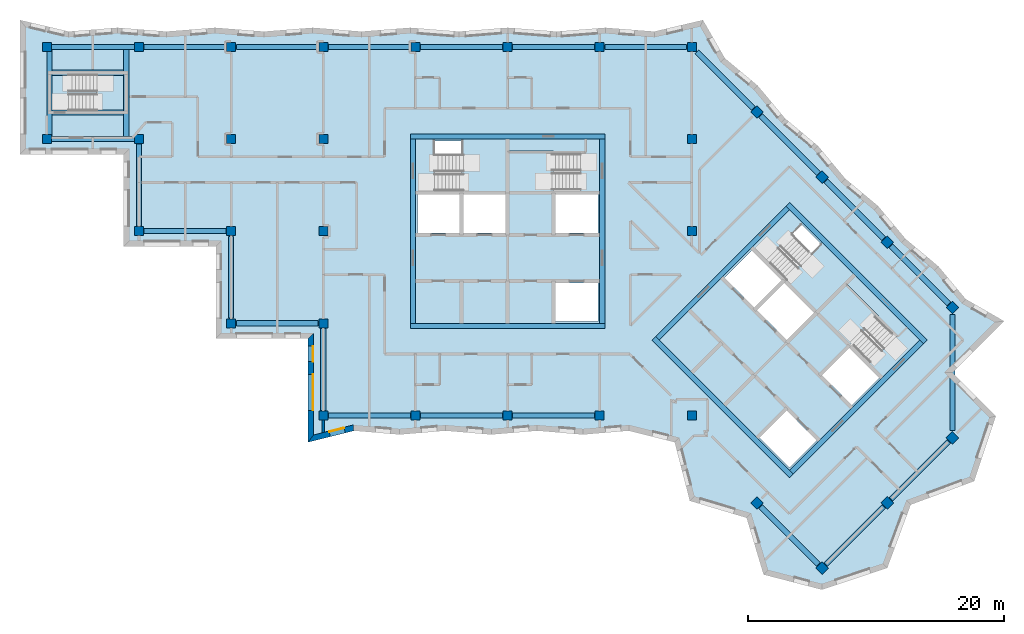
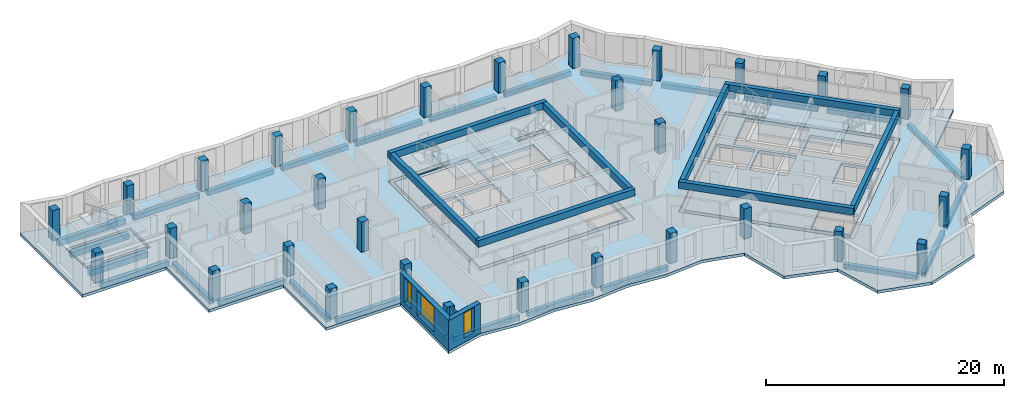
# One storey, part 1 of 13: 36 beams, 32 columns, 9 slabs, 3 walls, 3 windows, 18 openings, 5 elements without a shape of their own.
"""IFC4 building model written with IfcOpenShell, lengths in metres."""

from ifc_helpers import new_model, si_unit, direction, frame, frame_2d, origin, origin_2d, place, context, subcontext, project, spatial, polyline, rectangle, outline, extrude, material, layer, layer_set, material_profile, profile_set, type_object, element, fill, aggregate, save


model = new_model("IFC4")

# Units and contexts
model_context = context("Model", 3, precision=1e-05, world=origin(), true_north=direction((0.0, 1.0)))
body_context = subcontext(model_context, "Body", "Model", "MODEL_VIEW")
ifc_project = project(units=[si_unit("LENGTHUNIT", "METRE"), si_unit("AREAUNIT", "SQUARE_METRE"), si_unit("VOLUMEUNIT", "CUBIC_METRE"), si_unit("PLANEANGLEUNIT", "RADIAN"), si_unit("MASSUNIT", "GRAM", prefix="KILO")], contexts=[model_context])

# Site, building, storey
site_placement = place(None, origin())
site = spatial("IfcSite", under=ifc_project, at=site_placement, CompositionType="ELEMENT")
building_placement = place(site_placement, origin())
building = spatial("IfcBuilding", under=site, at=building_placement, Name="Windrow Commons", CompositionType="ELEMENT")
storey_placement = place(building_placement, frame((0.0, 0.0, 243.8)))
storey = spatial("IfcBuildingStorey", under=building, at=storey_placement, Name="L66", CompositionType="ELEMENT", Elevation=243.8)

# Columns
ifc_material_1 = material(Name="Concrete C40/50", Category="concrete")
ifc_material_profile_1 = material_profile(ifc_material_1, rectangle(XDim=0.7, YDim=0.7, at=origin_2d()))
ifc_profile_set_1 = profile_set([ifc_material_profile_1], Name="Concrete C40/50")
column_type = type_object("IfcColumnType", Name="RC COLUMN 700x700 C40/50", PredefinedType="COLUMN", material=ifc_profile_set_1)
for number, where, z_axis, x_axis, name in (
    (1, (28.8, 64.8, 0.0), (0.0, 0.0, 1.0), (1.0, 0.0, 0.0), "C-Z5-05I"),
    (2, (28.8, 72.0, 0.0), (0.0, 0.0, 1.0), (1.0, 0.0, 0.0), "C-Z5-05J"),
    (3, (36.0, 57.6, 0.0), (0.0, 0.0, 1.0), (1.0, 0.0, 0.0), "C-Z5-06H"),
    (4, (36.0, 64.8, 0.0), (0.0, 0.0, 1.0), (1.0, 0.0, 0.0), "C-Z5-06I"),
    (5, (36.0, 72.0, 0.0), (0.0, 0.0, 1.0), (1.0, 0.0, 0.0), "C-Z5-06J"),
    (6, (43.2, 50.4, 0.0), (0.0, 0.0, 1.0), (1.0, 0.0, 0.0), "C-Z5-07G"),
    (7, (43.2, 57.6, 0.0), (0.0, 0.0, 1.0), (1.0, 0.0, 0.0), "C-Z5-07H"),
    (8, (43.2, 64.8, 0.0), (0.0, 0.0, 1.0), (1.0, 0.0, 0.0), "C-Z5-07I"),
    (9, (43.2, 72.0, 0.0), (0.0, 0.0, 1.0), (1.0, 0.0, 0.0), "C-Z5-07J"),
    (10, (50.4, 43.2, 0.0), (0.0, 0.0, 1.0), (1.0, 0.0, 0.0), "C-Z5-08F"),
    (11, (50.4, 50.4, 0.0), (0.0, 0.0, 1.0), (1.0, 0.0, 0.0), "C-Z5-08G"),
    (12, (50.4, 57.6, 0.0), (0.0, 0.0, 1.0), (1.0, 0.0, 0.0), "C-Z5-08H"),
    (13, (50.4, 64.8, 0.0), (0.0, 0.0, 1.0), (1.0, 0.0, 0.0), "C-Z5-08I"),
    (14, (50.4, 72.0, 0.0), (0.0, 0.0, 1.0), (1.0, 0.0, 0.0), "C-Z5-08J"),
    (15, (57.6, 43.2, 0.0), (0.0, 0.0, 1.0), (1.0, 0.0, 0.0), "C-Z5-09F"),
    (16, (57.6, 72.0, 0.0), (0.0, 0.0, 1.0), (1.0, 0.0, 0.0), "C-Z5-09J"),
    (17, (64.8, 43.2, 0.0), (0.0, 0.0, 1.0), (1.0, 0.0, 0.0), "C-Z5-10F"),
    (18, (64.8, 72.0, 0.0), (0.0, 0.0, 1.0), (1.0, 0.0, 0.0), "C-Z5-10J"),
    (19, (72.0, 43.2, 0.0), (0.0, 0.0, 1.0), (1.0, 0.0, 0.0), "C-Z5-11F"),
    (20, (72.0, 72.0, 0.0), (0.0, 0.0, 1.0), (1.0, 0.0, 0.0), "C-Z5-11J"),
    (21, (79.2, 43.2, 0.0), (0.0, 0.0, 1.0), (1.0, 0.0, 0.0), "C-Z5-12F"),
    (22, (79.2, 57.6, 0.0), (0.0, 0.0, 1.0), (1.0, 0.0, 0.0), "C-Z5-12H"),
    (23, (79.2, 64.8, 0.0), (0.0, 0.0, 1.0), (1.0, 0.0, 0.0), "C-Z5-12I"),
    (24, (79.2, 72.0, 0.0), (0.0, 0.0, 1.0), (1.0, 0.0, 0.0), "C-Z5-12J"),
    (25, (84.2912, 66.9088, 0.0), (0.0, 0.0, 1.0), (0.7071067812, -0.7071067812, 0.0), "C-Z5-P2Q"),
    (26, (89.3823, 61.8177, 0.0), (0.0, 0.0, 1.0), (0.7071067812, -0.7071067812, 0.0), "C-Z5-P3Q"),
    (27, (94.4735, 56.7265, 0.0), (0.0, 0.0, 1.0), (0.7071067812, -0.7071067812, 0.0), "C-Z5-P4Q"),
    (28, (99.5647, 51.6353, 0.0), (0.0, 0.0, 1.0), (0.7071067812, -0.7071067812, 0.0), "C-Z5-P5Q"),
    (29, (84.2912, 36.3618, 0.0), (0.0, 0.0, 1.0), (0.7071067812, -0.7071067812, 0.0), "C-Z5-P5T"),
    (30, (99.5647, 41.453, 0.0), (0.0, 0.0, 1.0), (0.7071067812, -0.7071067812, 0.0), "C-Z5-P6R"),
    (31, (94.4735, 36.3618, 0.0), (0.0, 0.0, 1.0), (0.7071067812, -0.7071067812, 0.0), "C-Z5-P6S"),
    (32, (89.3823, 31.2706, 0.0), (0.0, 0.0, 1.0), (0.7071067812, -0.7071067812, 0.0), "C-Z5-P6T"),
):
    element("IfcColumn", number, at=place(storey_placement, frame(where, z_axis=z_axis, x_axis=x_axis)), inside=storey, type_object=column_type, Name=name, PredefinedType="COLUMN", context=body_context, shape_type="SweptSolid", body=[
        extrude(rectangle(XDim=0.7, YDim=0.7, at=origin_2d()), origin(), (0.0, 0.0, 1.0), 3.1),
    ])

# Beams
ifc_material_2 = material(Name="Concrete C40/50", Category="concrete")
ifc_material_profile_2 = material_profile(ifc_material_2, rectangle(XDim=0.4, YDim=0.7, at=origin_2d()))
ifc_profile_set_2 = profile_set([ifc_material_profile_2], Name="Concrete C40/50")
beam_type_1 = type_object("IfcBeamType", Name="RC COUPLING BEAM 400x700 C40/50", PredefinedType="LINTEL", material=ifc_profile_set_2)
for number, where, z_axis, x_axis, name in (
    (33, (57.2, 50.2, 2.75), (1.0, 0.0, 0.0), (0.0, 1.0, 0.0), "Core A coupling beam outer-S"),
    (34, (57.2, 65.0, 2.75), (1.0, 0.0, 0.0), (0.0, 1.0, 0.0), "Core A coupling beam outer-N"),
):
    element("IfcBeam", number, at=place(storey_placement, frame(where, z_axis=z_axis, x_axis=x_axis)), inside=storey, type_object=beam_type_1, Name=name, PredefinedType="LINTEL", context=body_context, shape_type="SweptSolid", body=[
        extrude(rectangle(XDim=0.4, YDim=0.7, at=origin_2d()), origin(), (0.0, 0.0, 1.0), 15.2),
    ])
for number, where, z_axis, x_axis, name in (
    (35, (57.4, 50.4, 2.75), (0.0, 1.0, 0.0), (-1.0, 0.0, 0.0), "Core A coupling beam outer-W"),
    (36, (72.2, 50.4, 2.75), (0.0, 1.0, 0.0), (-1.0, 0.0, 0.0), "Core A coupling beam outer-E"),
):
    element("IfcBeam", number, at=place(storey_placement, frame(where, z_axis=z_axis, x_axis=x_axis)), inside=storey, type_object=beam_type_1, Name=name, PredefinedType="LINTEL", context=body_context, shape_type="SweptSolid", body=[
        extrude(rectangle(XDim=0.4, YDim=0.7, at=origin_2d()), origin(), (0.0, 0.0, 1.0), 14.4),
    ])
for number, where, z_axis, x_axis, name in (
    (37, (76.2302, 49.2312, 2.75), (0.7071034917, -0.7071100706, 0.0), (0.7071100706, 0.7071034917, 0.0), "Core B coupling beam outer-S"),
    (38, (86.6953, 59.6963, 2.75), (0.7071100706, -0.7071034917, 0.0), (0.7071034917, 0.7071100706, 0.0), "Core B coupling beam outer-N"),
):
    element("IfcBeam", number, at=place(storey_placement, frame(where, z_axis=z_axis, x_axis=x_axis)), inside=storey, type_object=beam_type_1, Name=name, PredefinedType="LINTEL", context=body_context, shape_type="SweptSolid", body=[
        extrude(rectangle(XDim=0.4, YDim=0.7, at=origin_2d()), origin(), (0.0, 0.0, 1.0), 15.2),
    ])
for number, where, z_axis, x_axis, name in (
    (39, (76.513, 49.2312, 2.75), (0.7071067812, 0.7071067812, 0.0), (-0.7071067812, 0.7071067812, 0.0), "Core B coupling beam outer-W"),
    (40, (86.9782, 38.766, 2.75), (0.7071067812, 0.7071067812, 0.0), (-0.7071067812, 0.7071067812, 0.0), "Core B coupling beam outer-E"),
):
    element("IfcBeam", number, at=place(storey_placement, frame(where, z_axis=z_axis, x_axis=x_axis)), inside=storey, type_object=beam_type_1, Name=name, PredefinedType="LINTEL", context=body_context, shape_type="SweptSolid", body=[
        extrude(rectangle(XDim=0.4, YDim=0.7, at=origin_2d()), origin(), (0.0, 0.0, 1.0), 14.3999),
    ])
ifc_material_3 = material(Name="Concrete C40/50", Category="concrete")
ifc_material_profile_3 = material_profile(ifc_material_3, rectangle(XDim=0.4, YDim=0.5, at=origin_2d()))
ifc_profile_set_3 = profile_set([ifc_material_profile_3], Name="Concrete C40/50")
beam_type_2 = type_object("IfcBeamType", Name="RC EDGE BEAM 400x500 C40/50", PredefinedType="SPANDREL", material=ifc_profile_set_3)
for number, where, z_axis, x_axis, name in (
    (41, (57.2, 43.2, -0.55), (-1.0, 0.0, 0.0), (0.0, -1.0, 0.0), "Edge beam L66 001"),
    (42, (50.4, 43.6, -0.55), (0.0, 1.0, 0.0), (-1.0, 0.0, 0.0), "Edge beam L66 002"),
    (43, (50.0, 50.4, -0.55), (-1.0, 0.0, 0.0), (0.0, -1.0, 0.0), "Edge beam L66 003"),
    (44, (43.2, 50.8, -0.55), (0.0, 1.0, 0.0), (-1.0, 0.0, 0.0), "Edge beam L66 004"),
    (45, (42.8, 57.6, -0.55), (-1.0, 0.0, 0.0), (0.0, -1.0, 0.0), "Edge beam L66 005"),
    (46, (36.0, 58.0, -0.55), (0.0, 1.0, 0.0), (-1.0, 0.0, 0.0), "Edge beam L66 006"),
    (47, (36.4, 72.0, -0.55), (1.0, 0.0, 0.0), (0.0, 1.0, 0.0), "Edge beam L66 010"),
    (48, (43.6, 72.0, -0.55), (1.0, 0.0, 0.0), (0.0, 1.0, 0.0), "Edge beam L66 011"),
    (49, (50.8, 72.0, -0.55), (1.0, 0.0, 0.0), (0.0, 1.0, 0.0), "Edge beam L66 012"),
    (50, (58.0, 72.0, -0.55), (1.0, 0.0, 0.0), (0.0, 1.0, 0.0), "Edge beam L66 013"),
    (51, (65.2, 72.0, -0.55), (1.0, 0.0, 0.0), (0.0, 1.0, 0.0), "Edge beam L66 014"),
    (52, (72.4, 72.0, -0.55), (1.0, 0.0, 0.0), (0.0, 1.0, 0.0), "Edge beam L66 015"),
):
    element("IfcBeam", number, at=place(storey_placement, frame(where, z_axis=z_axis, x_axis=x_axis)), inside=storey, type_object=beam_type_2, Name=name, PredefinedType="SPANDREL", context=body_context, shape_type="SweptSolid", body=[
        extrude(rectangle(XDim=0.4, YDim=0.5, at=origin_2d()), origin(), (0.0, 0.0, 1.0), 6.4),
    ])
beam_1_placement = place(storey_placement, frame((79.6, 71.6, -0.55), z_axis=(0.7071067812, -0.7071067812, 0.0), x_axis=(0.7071067812, 0.7071067812, 0.0)))
element("IfcBeam", 53, at=beam_1_placement, inside=storey, type_object=beam_type_2, Name="Edge beam L66 016", PredefinedType="SPANDREL", context=body_context, shape_type="SweptSolid", body=[
    extrude(rectangle(XDim=0.4, YDim=0.5, at=origin_2d()), origin(), (0.0, 0.0, 1.0), 6.2344),
])
beam_2_placement = place(storey_placement, frame((84.574, 66.626, -0.55), z_axis=(0.7071067812, -0.7071067812, 0.0), x_axis=(0.7071067812, 0.7071067812, 0.0)))
element("IfcBeam", 54, at=beam_2_placement, inside=storey, type_object=beam_type_2, Name="Edge beam L66 017", PredefinedType="SPANDREL", context=body_context, shape_type="SweptSolid", body=[
    extrude(rectangle(XDim=0.4, YDim=0.5, at=origin_2d()), origin(), (0.0, 0.0, 1.0), 6.4),
])
for number, where, z_axis, x_axis, name in (
    (55, (89.6651, 61.5349, -0.55), (0.7071067812, -0.7071067812, 0.0), (0.7071067812, 0.7071067812, 0.0), "Edge beam L66 018"),
    (56, (94.7563, 56.4437, -0.55), (0.7071067812, -0.7071067812, 0.0), (0.7071067812, 0.7071067812, 0.0), "Edge beam L66 019"),
):
    element("IfcBeam", number, at=place(storey_placement, frame(where, z_axis=z_axis, x_axis=x_axis)), inside=storey, type_object=beam_type_2, Name=name, PredefinedType="SPANDREL", context=body_context, shape_type="SweptSolid", body=[
        extrude(rectangle(XDim=0.4, YDim=0.5, at=origin_2d()), origin(), (0.0, 0.0, 1.0), 6.4002),
    ])
beam_3_placement = place(storey_placement, frame((99.5647, 51.0696, -0.55), z_axis=(0.0, -1.0, 0.0), x_axis=(1.0, 0.0, 0.0)))
element("IfcBeam", 57, at=beam_3_placement, inside=storey, type_object=beam_type_2, Name="Edge beam L66 020", PredefinedType="SPANDREL", context=body_context, shape_type="SweptSolid", body=[
    extrude(rectangle(XDim=0.4, YDim=0.5, at=origin_2d()), origin(), (0.0, 0.0, 1.0), 9.0509),
])
for number, where, z_axis, x_axis, name in (
    (58, (99.2819, 41.1702, -0.55), (-0.7071067812, -0.7071067812, 0.0), (0.7071067812, -0.7071067812, 0.0), "Edge beam L66 021"),
    (59, (94.1907, 36.079, -0.55), (-0.7071067812, -0.7071067812, 0.0), (0.7071067812, -0.7071067812, 0.0), "Edge beam L66 022"),
):
    element("IfcBeam", number, at=place(storey_placement, frame(where, z_axis=z_axis, x_axis=x_axis)), inside=storey, type_object=beam_type_2, Name=name, PredefinedType="SPANDREL", context=body_context, shape_type="SweptSolid", body=[
        extrude(rectangle(XDim=0.4, YDim=0.5, at=origin_2d()), origin(), (0.0, 0.0, 1.0), 6.4002),
    ])
beam_4_placement = place(storey_placement, frame((89.0995, 31.5534, -0.55), z_axis=(-0.7070989688, 0.7071145935, 0.0), x_axis=(-0.7071145935, -0.7070989688, 0.0)))
element("IfcBeam", 60, at=beam_4_placement, inside=storey, type_object=beam_type_2, Name="Edge beam L66 023", PredefinedType="SPANDREL", context=body_context, shape_type="SweptSolid", body=[
    extrude(rectangle(XDim=0.4, YDim=0.5, at=origin_2d()), origin(), (0.0, 0.0, 1.0), 6.4001),
])
for number, where, z_axis, x_axis, name in (
    (61, (71.6, 43.2, -0.55), (-1.0, 0.0, 0.0), (0.0, -1.0, 0.0), "Edge beam L66 024"),
    (62, (64.4, 43.2, -0.55), (-1.0, 0.0, 0.0), (0.0, -1.0, 0.0), "Edge beam L66 025"),
):
    element("IfcBeam", number, at=place(storey_placement, frame(where, z_axis=z_axis, x_axis=x_axis)), inside=storey, type_object=beam_type_2, Name=name, PredefinedType="SPANDREL", context=body_context, shape_type="SweptSolid", body=[
        extrude(rectangle(XDim=0.4, YDim=0.5, at=origin_2d()), origin(), (0.0, 0.0, 1.0), 6.4),
    ])
ifc_material_4 = material(Name="Concrete C40/50", Category="concrete")
ifc_material_profile_4 = material_profile(ifc_material_4, rectangle(XDim=0.4, YDim=0.6, at=origin_2d()))
ifc_profile_set_4 = profile_set([ifc_material_profile_4], Name="Concrete C40/50")
beam_type_3 = type_object("IfcBeamType", Name="RC EDGE BEAM 400x600 C40/50", PredefinedType="SPANDREL", material=ifc_profile_set_4)
for number, where, z_axis, x_axis, name in (
    (63, (29.15, 64.8, -0.6), (1.0, 0.0, 0.0), (0.0, 1.0, 0.0), "Stair frame girder 1"),
    (64, (29.15, 72.0, -0.6), (1.0, 0.0, 0.0), (0.0, 1.0, 0.0), "Stair frame girder 2"),
):
    element("IfcBeam", number, at=place(storey_placement, frame(where, z_axis=z_axis, x_axis=x_axis)), inside=storey, type_object=beam_type_3, Name=name, PredefinedType="SPANDREL", context=body_context, shape_type="SweptSolid", body=[
        extrude(rectangle(XDim=0.4, YDim=0.6, at=origin_2d()), origin(), (0.0, 0.0, 1.0), 6.5),
    ])
for number, where, z_axis, x_axis, name in (
    (65, (29.0, 65.0, -0.6), (0.0, 1.0, 0.0), (-1.0, 0.0, 0.0), "Stair frame beam 1"),
    (66, (35.0, 65.0, -0.6), (0.0, 1.0, 0.0), (-1.0, 0.0, 0.0), "Stair frame beam 2"),
):
    element("IfcBeam", number, at=place(storey_placement, frame(where, z_axis=z_axis, x_axis=x_axis)), inside=storey, type_object=beam_type_3, Name=name, PredefinedType="SPANDREL", context=body_context, shape_type="SweptSolid", body=[
        extrude(rectangle(XDim=0.4, YDim=0.6, at=origin_2d()), origin(), (0.0, 0.0, 1.0), 6.8),
    ])
for number, where, z_axis, x_axis, name in (
    (67, (29.2, 66.875, -0.6), (1.0, 0.0, 0.0), (0.0, 1.0, 0.0), "Stair wall beam 1"),
    (68, (29.2, 69.975, -0.6), (1.0, 0.0, 0.0), (0.0, 1.0, 0.0), "Stair wall beam 2"),
):
    element("IfcBeam", number, at=place(storey_placement, frame(where, z_axis=z_axis, x_axis=x_axis)), inside=storey, type_object=beam_type_3, Name=name, PredefinedType="SPANDREL", context=body_context, shape_type="SweptSolid", body=[
        extrude(rectangle(XDim=0.4, YDim=0.6, at=origin_2d()), origin(), (0.0, 0.0, 1.0), 5.6),
    ])

# Slab, openings
ifc_material_5 = material(Name="Concrete C40/50", Category="concrete")
ifc_layer_1 = layer(ifc_material_5, 0.3)
ifc_layer_set_1 = layer_set([ifc_layer_1], Name="CORE FLOOR SLAB 300 C40/50")
slab_type_1 = type_object("IfcSlabType", Name="CORE FLOOR SLAB 300 C40/50", PredefinedType="FLOOR", material=ifc_layer_set_1)
placement_1 = place(storey_placement, frame((0.0, 0.0, -0.3)))
slab_1 = element("IfcSlab", 69, at=placement_1, inside=storey, type_object=slab_type_1, Name="S-L66-core-A", PredefinedType="FLOOR", context=body_context, shape_type="SweptSolid", body=[
    extrude(outline(polyline([(57.6, 50.4), (72.0, 50.4), (72.0, 64.8), (57.6, 64.8), (57.6, 50.4)]), holes=[polyline([(68.55, 50.55), (71.85, 50.55), (71.85, 53.55), (68.55, 53.55), (68.55, 50.55)]), polyline([(57.75, 57.45), (61.05, 57.45), (61.05, 60.45), (57.75, 60.45), (57.75, 57.45)]), polyline([(61.35, 57.45), (64.65, 57.45), (64.65, 60.45), (61.35, 60.45), (61.35, 57.45)]), polyline([(68.55, 57.45), (71.85, 57.45), (71.85, 60.45), (68.55, 60.45), (68.55, 57.45)]), polyline([(59.1, 60.75), (64.65, 60.75), (64.65, 64.65), (59.1, 64.65), (59.1, 60.75)]), polyline([(64.95, 60.75), (70.5, 60.75), (70.5, 63.705), (64.95, 63.705), (64.95, 60.75)])]), origin(), (0.0, 0.0, 1.0), 0.3),
])
opening_1_placement = place(placement_1, origin())
element("IfcOpeningElement", 70, at=opening_1_placement, cuts=slab_1, Name="Slab opening S-L66-core-A 1", PredefinedType="OPENING", context=body_context, shape_type="SweptSolid", body=[
    extrude(outline(polyline([(68.555, 50.555), (68.555, 53.545), (71.845, 53.545), (71.845, 50.555), (68.555, 50.555)])), origin(), (0.0, 0.0, 1.0), 0.3),
])
opening_2_placement = place(placement_1, origin())
element("IfcOpeningElement", 71, at=opening_2_placement, cuts=slab_1, Name="Slab opening S-L66-core-A 2", PredefinedType="OPENING", context=body_context, shape_type="SweptSolid", body=[
    extrude(outline(polyline([(57.755, 57.455), (57.755, 60.445), (61.045, 60.445), (61.045, 57.455), (57.755, 57.455)])), origin(), (0.0, 0.0, 1.0), 0.3),
])
opening_3_placement = place(placement_1, origin())
element("IfcOpeningElement", 72, at=opening_3_placement, cuts=slab_1, Name="Slab opening S-L66-core-A 3", PredefinedType="OPENING", context=body_context, shape_type="SweptSolid", body=[
    extrude(outline(polyline([(61.355, 57.455), (61.355, 60.445), (64.645, 60.445), (64.645, 57.455), (61.355, 57.455)])), origin(), (0.0, 0.0, 1.0), 0.3),
])
opening_4_placement = place(placement_1, origin())
element("IfcOpeningElement", 73, at=opening_4_placement, cuts=slab_1, Name="Slab opening S-L66-core-A 4", PredefinedType="OPENING", context=body_context, shape_type="SweptSolid", body=[
    extrude(outline(polyline([(68.555, 57.455), (68.555, 60.445), (71.845, 60.445), (71.845, 57.455), (68.555, 57.455)])), origin(), (0.0, 0.0, 1.0), 0.3),
])
opening_5_placement = place(placement_1, origin())
element("IfcOpeningElement", 74, at=opening_5_placement, cuts=slab_1, Name="Slab opening S-L66-core-A 5", PredefinedType="OPENING", context=body_context, shape_type="SweptSolid", body=[
    extrude(outline(polyline([(59.105, 60.755), (59.105, 64.645), (64.645, 64.645), (64.645, 60.755), (59.105, 60.755)])), origin(), (0.0, 0.0, 1.0), 0.3),
])
opening_6_placement = place(placement_1, origin())
element("IfcOpeningElement", 75, at=opening_6_placement, cuts=slab_1, Name="Slab opening S-L66-core-A 6", PredefinedType="OPENING", context=body_context, shape_type="SweptSolid", body=[
    extrude(outline(polyline([(64.955, 60.755), (64.955, 63.7), (70.495, 63.7), (70.495, 60.755), (64.955, 60.755)])), origin(), (0.0, 0.0, 1.0), 0.3),
])

slab_2 = element("IfcSlab", 76, at=placement_1, inside=storey, type_object=slab_type_1, Name="S-L66-core-B", PredefinedType="FLOOR", context=body_context, shape_type="SweptSolid", body=[
    extrude(outline(polyline([(76.6544, 49.0897), (86.8368, 38.9074), (97.0191, 49.0897), (86.8368, 59.2721), (76.6544, 49.0897)]), holes=[polyline([(84.5033, 41.453), (86.8368, 39.1195), (88.9581, 41.2409), (86.6246, 43.5743), (84.5033, 41.453)]), polyline([(81.7456, 53.9688), (84.079, 51.6353), (86.2004, 53.7566), (83.8669, 56.0901), (81.7456, 53.9688)]), polyline([(84.2912, 51.4232), (86.6246, 49.0897), (88.7459, 51.2111), (86.4125, 53.5445), (84.2912, 51.4232)]), polyline([(89.3823, 46.332), (91.7158, 43.9986), (93.8371, 46.1199), (91.5037, 48.4533), (89.3823, 46.332)]), polyline([(85.0336, 55.3476), (88.9581, 51.4232), (91.7158, 54.1809), (87.7913, 58.1054), (85.0336, 55.3476)]), polyline([(89.1702, 51.2111), (93.0946, 47.2866), (95.1841, 49.3761), (91.2597, 53.3006), (89.1702, 51.2111)])]), origin(), (0.0, 0.0, 1.0), 0.3),
])
opening_7_placement = place(placement_1, origin())
element("IfcOpeningElement", 77, at=opening_7_placement, cuts=slab_2, Name="Slab opening S-L66-core-B 1", PredefinedType="OPENING", context=body_context, shape_type="SweptSolid", body=[
    extrude(outline(polyline([(84.5104, 41.453), (86.6246, 43.5672), (88.951, 41.2409), (86.8368, 39.1266), (84.5104, 41.453)])), origin(), (0.0, 0.0, 1.0), 0.3),
])
opening_8_placement = place(placement_1, origin())
element("IfcOpeningElement", 78, at=opening_8_placement, cuts=slab_2, Name="Slab opening S-L66-core-B 2", PredefinedType="OPENING", context=body_context, shape_type="SweptSolid", body=[
    extrude(outline(polyline([(81.7527, 53.9688), (83.8669, 56.083), (86.1933, 53.7566), (84.079, 51.6424), (81.7527, 53.9688)])), origin(), (0.0, 0.0, 1.0), 0.3),
])
opening_9_placement = place(placement_1, origin())
element("IfcOpeningElement", 79, at=opening_9_placement, cuts=slab_2, Name="Slab opening S-L66-core-B 3", PredefinedType="OPENING", context=body_context, shape_type="SweptSolid", body=[
    extrude(outline(polyline([(84.2983, 51.4232), (86.4125, 53.5374), (88.7388, 51.2111), (86.6246, 49.0968), (84.2983, 51.4232)])), origin(), (0.0, 0.0, 1.0), 0.3),
])
opening_10_placement = place(placement_1, origin())
element("IfcOpeningElement", 80, at=opening_10_placement, cuts=slab_2, Name="Slab opening S-L66-core-B 4", PredefinedType="OPENING", context=body_context, shape_type="SweptSolid", body=[
    extrude(outline(polyline([(89.3894, 46.332), (91.5037, 48.4462), (93.83, 46.1199), (91.7158, 44.0057), (89.3894, 46.332)])), origin(), (0.0, 0.0, 1.0), 0.3),
])
opening_11_placement = place(placement_1, origin())
element("IfcOpeningElement", 81, at=opening_11_placement, cuts=slab_2, Name="Slab opening S-L66-core-B 5", PredefinedType="OPENING", context=body_context, shape_type="SweptSolid", body=[
    extrude(outline(polyline([(85.0407, 55.3476), (87.7913, 58.0983), (91.7087, 54.1809), (88.9581, 51.4303), (85.0407, 55.3476)])), origin(), (0.0, 0.0, 1.0), 0.3),
])
opening_12_placement = place(placement_1, origin())
element("IfcOpeningElement", 82, at=opening_12_placement, cuts=slab_2, Name="Slab opening S-L66-core-B 6", PredefinedType="OPENING", context=body_context, shape_type="SweptSolid", body=[
    extrude(outline(polyline([(89.1773, 51.2111), (91.2597, 53.2935), (95.177, 49.3761), (93.0946, 47.2937), (89.1773, 51.2111)])), origin(), (0.0, 0.0, 1.0), 0.3),
])

# Slab
element("IfcSlab", 83, at=placement_1, inside=storey, type_object=slab_type_1, Name="S-L66-stub-stair", PredefinedType="FLOOR", context=body_context, shape_type="SweptSolid", body=[
    extrude(outline(polyline([(34.875, 67.0), (34.875, 69.85), (29.125, 69.85), (29.125, 67.0), (34.875, 67.0)])), origin(), (0.0, 0.0, 1.0), 0.3),
])

# Stair, slab
ifc_material_6 = material(Name="Concrete C40/50", Category="concrete")
stair_type = type_object("IfcStairType", Name="Core stair", PredefinedType="HALF_TURN_STAIR", material=ifc_material_6)
placement_2 = place(storey_placement, origin())
stair_1 = element("IfcStair", 84, at=placement_2, inside=storey, type_object=stair_type, Name="L66 Exit stair A1 core A", PredefinedType="HALF_TURN_STAIR")
ifc_material_7 = material(Name="Concrete C40/50", Category="concrete")
ifc_layer_2 = layer(ifc_material_7, 0.2)
ifc_layer_set_2 = layer_set([ifc_layer_2], Name="Core stair landing")
slab_type_2 = type_object("IfcSlabType", Name="Core stair landing", PredefinedType="LANDING", material=ifc_layer_set_2)
placement_3 = place(storey_placement, frame((0.0, 0.0, 1.5)))
slab_4 = element("IfcSlab", 85, at=placement_3, type_object=slab_type_2, Name="ST-A1 landing 1", PredefinedType="LANDING", context=body_context, shape_type="SweptSolid", body=[
    extrude(outline(polyline([(61.22, 60.5), (64.8, 60.5), (64.8, 64.9), (61.22, 64.9), (61.22, 60.5)])), origin(), (0.0, 0.0, 1.0), 0.2),
])
aggregate(stair_1, [slab_4])

stair_2 = element("IfcStair", 86, at=placement_2, inside=storey, type_object=stair_type, Name="L66 Exit stair A2 core A", PredefinedType="HALF_TURN_STAIR")
slab_5 = element("IfcSlab", 87, at=placement_3, type_object=slab_type_2, Name="ST-A2 landing 1", PredefinedType="LANDING", context=body_context, shape_type="SweptSolid", body=[
    extrude(outline(polyline([(64.8, 60.5), (68.38, 60.5), (68.38, 63.855), (64.8, 63.855), (64.8, 60.5)])), origin(), (0.0, 0.0, 1.0), 0.2),
])
aggregate(stair_2, [slab_5])

stair_3 = element("IfcStair", 88, at=placement_2, inside=storey, type_object=stair_type, Name="L66 Exit stair B1 core B", PredefinedType="HALF_TURN_STAIR")
slab_6 = element("IfcSlab", 89, at=placement_3, type_object=slab_type_2, Name="ST-B1 landing 1", PredefinedType="LANDING", context=body_context, shape_type="SweptSolid", body=[
    extrude(outline(polyline([(86.3559, 53.6718), (88.8874, 51.1403), (91.9986, 54.2516), (89.4672, 56.7831), (86.3559, 53.6718)])), origin(), (0.0, 0.0, 1.0), 0.2),
])
aggregate(stair_3, [slab_6])

stair_4 = element("IfcStair", 90, at=placement_2, inside=storey, type_object=stair_type, Name="L66 Exit stair B2 core B", PredefinedType="HALF_TURN_STAIR")
slab_7 = element("IfcSlab", 91, at=placement_3, type_object=slab_type_2, Name="ST-B2 landing 1", PredefinedType="LANDING", context=body_context, shape_type="SweptSolid", body=[
    extrude(outline(polyline([(88.8874, 51.1403), (91.4188, 48.6089), (93.7911, 50.9812), (91.2597, 53.5127), (88.8874, 51.1403)])), origin(), (0.0, 0.0, 1.0), 0.2),
])
aggregate(stair_4, [slab_7])

stair_5 = element("IfcStair", 92, at=placement_2, inside=storey, type_object=stair_type, Name="L66 Exit stair W", PredefinedType="HALF_TURN_STAIR")
slab_8 = element("IfcSlab", 93, at=placement_3, type_object=slab_type_2, Name="ST-W landing 1", PredefinedType="LANDING", context=body_context, shape_type="SweptSolid", body=[
    extrude(outline(polyline([(32.715, 67.0), (34.875, 67.0), (34.875, 69.85), (32.715, 69.85), (32.715, 67.0)])), origin(), (0.0, 0.0, 1.0), 0.2),
])
aggregate(stair_5, [slab_8])

# Slab, openings
ifc_material_8 = material(Name="Concrete C40/50", Category="concrete")
ifc_layer_3 = layer(ifc_material_8, 0.3)
ifc_layer_set_3 = layer_set([ifc_layer_3], Name="FLOOR SLAB 300 C40/50")
slab_type_3 = type_object("IfcSlabType", Name="FLOOR SLAB 300 C40/50", PredefinedType="FLOOR", material=ifc_layer_set_3)
slab_9 = element("IfcSlab", 94, at=placement_1, inside=storey, type_object=slab_type_3, Name="S-L66-floor", PredefinedType="FLOOR", context=body_context, shape_type="SweptSolid", body=[
    extrude(outline(polyline([(84.8036, 30.7581), (89.3823, 29.5736), (94.4735, 31.2706), (96.312, 36.2204), (101.2617, 38.0588), (102.9588, 43.15), (99.5647, 46.5442), (103.5952, 50.5747), (100.6063, 52.2908), (98.4659, 54.8555), (95.9012, 56.9959), (93.7608, 59.5606), (91.1961, 61.701), (89.0557, 64.2656), (86.4911, 66.406), (84.3507, 68.9707), (81.786, 71.1111), (80.0699, 74.1), (76.2578, 73.2), (72.4456, 73.5), (68.6335, 73.2), (64.8214, 73.5), (61.0092, 73.2), (57.1971, 73.5), (53.3849, 73.2), (49.5728, 73.5), (45.7607, 73.2), (41.9485, 73.5), (38.1364, 73.2), (34.3243, 73.5), (30.5121, 73.2), (26.7, 74.1), (26.7, 63.6), (34.8, 63.6), (34.8, 56.4), (42.0, 56.4), (42.0, 49.2), (49.2, 49.2), (49.2, 41.1), (52.782, 42.0), (56.364, 41.7), (59.946, 42.0), (63.5279, 41.7), (67.1099, 42.0), (70.6919, 41.7), (74.2739, 42.0), (77.8559, 41.1), (79.0404, 36.5213), (83.4777, 35.1954), (84.8036, 30.7581)]), holes=[polyline([(76.0887, 49.0897), (86.8368, 59.8378), (97.5848, 49.0897), (86.8368, 38.3417), (76.0887, 49.0897)]), polyline([(57.2, 65.2), (72.4, 65.2), (72.4, 50.0), (57.2, 50.0), (57.2, 65.2)]), polyline([(28.875, 66.75), (28.875, 70.1), (35.125, 70.1), (35.125, 66.75), (28.875, 66.75)])]), origin(), (0.0, 0.0, 1.0), 0.3),
])
opening_13_placement = place(placement_1, origin())
element("IfcOpeningElement", 95, at=opening_13_placement, cuts=slab_9, Name="Slab opening S-L66-floor 1", PredefinedType="OPENING", context=body_context, shape_type="SweptSolid", body=[
    extrude(outline(polyline([(76.0958, 49.0897), (86.8368, 59.8307), (97.5777, 49.0897), (86.8368, 38.3488), (76.0958, 49.0897)])), origin(), (0.0, 0.0, 1.0), 0.3),
])
opening_14_placement = place(placement_1, origin())
element("IfcOpeningElement", 96, at=opening_14_placement, cuts=slab_9, Name="Slab opening S-L66-floor 2", PredefinedType="OPENING", context=body_context, shape_type="SweptSolid", body=[
    extrude(outline(polyline([(57.205, 65.195), (72.395, 65.195), (72.395, 50.005), (57.205, 50.005), (57.205, 65.195)])), origin(), (0.0, 0.0, 1.0), 0.3),
])
opening_15_placement = place(placement_1, origin())
element("IfcOpeningElement", 97, at=opening_15_placement, cuts=slab_9, Name="Slab opening S-L66-floor 3", PredefinedType="OPENING", context=body_context, shape_type="SweptSolid", body=[
    extrude(outline(polyline([(28.88, 66.755), (28.88, 70.095), (35.12, 70.095), (35.12, 66.755), (28.88, 66.755)])), origin(), (0.0, 0.0, 1.0), 0.3),
])

# Wall, openings, windows
ifc_material_9 = material(Name="Brick masonry, red clay brick", Category="masonry")
ifc_layer_4 = layer(ifc_material_9, 0.45)
ifc_layer_set_4 = layer_set([ifc_layer_4], Name="Brick facade wall 450")
wall_type_1 = type_object("IfcWallType", Name="Brick facade wall 450", PredefinedType="SOLIDWALL", material=ifc_layer_set_4)
wall_1_placement = place(storey_placement, frame((49.425, 49.425, 0.0), z_axis=(0.0, 0.0, 1.0), x_axis=(0.0, -1.0, 0.0)))
wall_1 = element("IfcWall", 98, at=wall_1_placement, inside=storey, type_object=wall_type_1, Name="Brick facade wall L66 37", PredefinedType="SOLIDWALL", context=body_context, shape_type="SweptSolid", body=[
    extrude(outline(polyline([(0.225, -0.225), (8.325, -0.225), (7.7479, 0.225), (-0.225, 0.225), (0.225, -0.225)])), origin(), (0.0, 0.0, 1.0), 3.1),
])
opening_16_placement = place(wall_1_placement, frame((3.025, 0.0, 0.45)))
opening_16 = element("IfcOpeningElement", 99, at=opening_16_placement, cuts=wall_1, Name="Opening W1V", PredefinedType="OPENING", context=body_context, shape_type="SweptSolid", body=[
    extrude(rectangle(XDim=2.8, YDim=2.55, at=frame_2d((1.4, 1.275))), frame((0.0, 0.235, 0.0), z_axis=(0.0, -1.0, 0.0), x_axis=(1.0, 0.0, 0.0)), (0.0, 0.0, 1.0), 0.47),
])
opening_17_placement = place(wall_1_placement, frame((0.8125, 0.0, 0.45)))
opening_17 = element("IfcOpeningElement", 100, at=opening_17_placement, cuts=wall_1, Name="Opening W7F", PredefinedType="OPENING", context=body_context, shape_type="SweptSolid", body=[
    extrude(rectangle(XDim=1.2, YDim=2.55, at=frame_2d((0.6, 1.275))), frame((0.0, 0.235, 0.0), z_axis=(0.0, -1.0, 0.0), x_axis=(1.0, 0.0, 0.0)), (0.0, 0.0, 1.0), 0.47),
])
ifc_material_10 = material(Name="Clear float glass in anodised aluminium frame", Category="aluminium")
window_type_1 = type_object("IfcWindowType", Name="Window W1V bedroom 2800x2550", PartitioningType="SINGLE_PANEL", PredefinedType="WINDOW", material=ifc_material_10)
window_1_placement = place(opening_16_placement, origin())
window_1 = element("IfcWindow", 101, at=window_1_placement, inside=storey, type_object=window_type_1, Name="Window L66 37.1", OverallHeight=2.55, OverallWidth=2.8, PartitioningType="SINGLE_PANEL", PredefinedType="WINDOW", context=body_context, shape_type="SweptSolid", body=[
    extrude(rectangle(XDim=2.8, YDim=2.55, at=frame_2d((1.4, 1.275))), frame((0.0, 0.205, 0.0), z_axis=(0.0, -1.0, 0.0), x_axis=(1.0, 0.0, 0.0)), (0.0, 0.0, 1.0), 0.06),
])
fill(opening_16, window_1)
ifc_material_11 = material(Name="Clear float glass in anodised aluminium frame", Category="aluminium")
window_type_2 = type_object("IfcWindowType", Name="Window W7 notch 1200x2550", PartitioningType="SINGLE_PANEL", PredefinedType="WINDOW", material=ifc_material_11)
window_2_placement = place(opening_17_placement, origin())
window_2 = element("IfcWindow", 102, at=window_2_placement, inside=storey, type_object=window_type_2, Name="Window L66 37.2", OverallHeight=2.55, OverallWidth=1.2, PartitioningType="SINGLE_PANEL", PredefinedType="WINDOW", context=body_context, shape_type="SweptSolid", body=[
    extrude(rectangle(XDim=1.2, YDim=2.55, at=frame_2d((0.6, 1.275))), frame((0.0, 0.205, 0.0), z_axis=(0.0, -1.0, 0.0), x_axis=(1.0, 0.0, 0.0)), (0.0, 0.0, 1.0), 0.06),
])
fill(opening_17, window_2)

# Wall, opening, window
wall_2_placement = place(storey_placement, frame((49.425, 41.3885, 0.0), z_axis=(0.0, 0.0, 1.0), x_axis=(0.9698564485, 0.2436769774, 0.0)))
wall_2 = element("IfcWall", 103, at=wall_2_placement, inside=storey, type_object=wall_type_1, Name="Brick facade wall L66 38", PredefinedType="SOLIDWALL", context=body_context, shape_type="SweptSolid", body=[
    extrude(outline(polyline([(-0.2885, -0.225), (3.4048, -0.225), (3.4797, 0.225), (0.2885, 0.225), (-0.2885, -0.225)])), origin(), (0.0, 0.0, 1.0), 3.1),
])
opening_18_placement = place(wall_2_placement, frame((1.5238, 0.0, 0.45)))
opening_18 = element("IfcOpeningElement", 104, at=opening_18_placement, cuts=wall_2, Name="Opening W7F", PredefinedType="OPENING", context=body_context, shape_type="SweptSolid", body=[
    extrude(rectangle(XDim=1.2, YDim=2.55, at=frame_2d((0.6, 1.275))), frame((0.0, 0.235, 0.0), z_axis=(0.0, -1.0, 0.0), x_axis=(1.0, 0.0, 0.0)), (0.0, 0.0, 1.0), 0.47),
])
window_3_placement = place(opening_18_placement, origin())
window_3 = element("IfcWindow", 105, at=window_3_placement, inside=storey, type_object=window_type_2, Name="Window L66 38.1", OverallHeight=2.55, OverallWidth=1.2, PartitioningType="SINGLE_PANEL", PredefinedType="WINDOW", context=body_context, shape_type="SweptSolid", body=[
    extrude(rectangle(XDim=1.2, YDim=2.55, at=frame_2d((0.6, 1.275))), frame((0.0, 0.205, 0.0), z_axis=(0.0, -1.0, 0.0), x_axis=(1.0, 0.0, 0.0)), (0.0, 0.0, 1.0), 0.06),
])
fill(opening_18, window_3)

# Wall
ifc_material_12 = material(Name="Blockwork partition", Category="masonry")
ifc_layer_5 = layer(ifc_material_12, 0.2)
ifc_layer_set_5 = layer_set([ifc_layer_5], Name="IW-PARTY-200")
wall_type_2 = type_object("IfcWallType", Name="IW-PARTY-200", PredefinedType="PARTITIONING", material=ifc_layer_set_5)
wall_3_placement = place(storey_placement, frame((50.4, 41.8655, 0.0), z_axis=(0.0, 0.0, 1.0), x_axis=(0.0, 1.0, 0.0)))
element("IfcWall", 106, at=wall_3_placement, inside=storey, type_object=wall_type_2, Name="W-L66-W099", PredefinedType="PARTITIONING", context=body_context, shape_type="SweptSolid", body=[
    extrude(rectangle(XDim=0.9845, YDim=0.2, at=frame_2d((0.4923, 0.0))), origin(), (0.0, 0.0, 1.0), 3.1),
])

save(model, "model.ifc")
